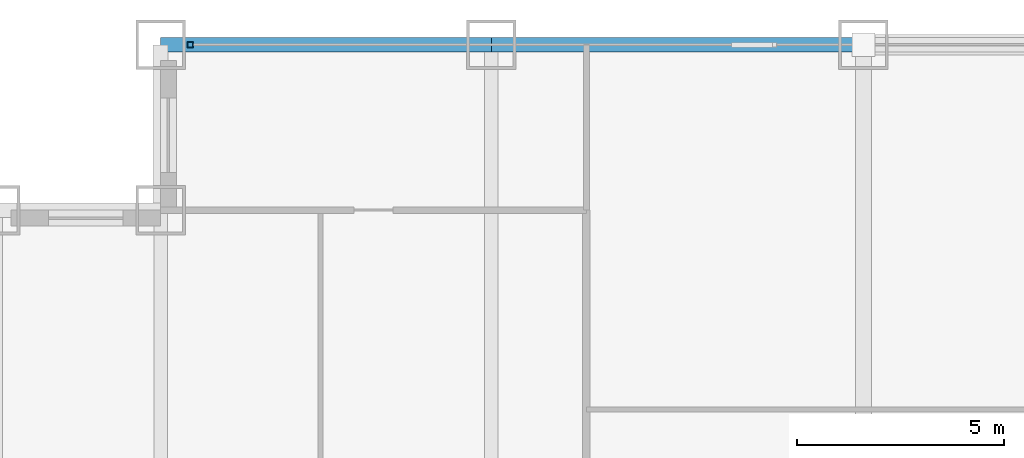
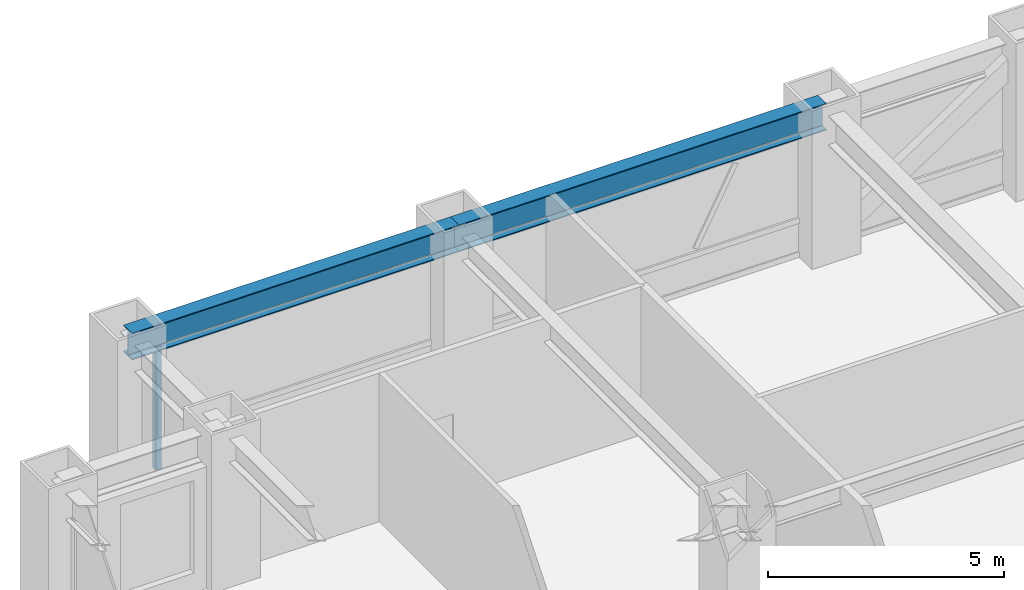
# One storey, part 17 of 27: 2 beams, 1 member, 1 element without a shape of its own.
"""IFC4 building model written with IfcOpenShell, lengths in metres."""

import ifcopenshell
import ifcopenshell.guid

model = None  # the IFC model being written
_history = None  # IfcOwnerHistory: only IFC2X3 demands one
_inside = {}  # id of a spatial element -> (the spatial element, [elements in it])
_under = {}  # id of a project, library or spatial element -> (it, [spatial elements below it])
_declared = {}  # id of a project -> (the project, [libraries it declares])
_typed = {}  # id of a type object -> (the type object, [elements of that type])
_made_of = {}  # id of a material, layer set ... -> (it, [elements and type objects made of it])


def new_model(schema):
    """Start an empty IFC model of exactly this schema.

    Asked for "IFC4X3", IfcOpenShell would pick the latest addendum, in which some entities
    have other attributes; the version numbers below select the first issue.
    IFC2X3 requires an IfcOwnerHistory on every rooted entity: one is made here for all.
    """
    global model, _history
    if schema == "IFC4X3":
        model = ifcopenshell.file(schema_version=(4, 3, 0, 0))
    else:
        model = ifcopenshell.file(schema=schema)
    _inside.clear()
    _under.clear()
    _declared.clear()
    _typed.clear()
    _made_of.clear()
    _history = None
    if model.schema == "IFC2X3":
        org = make("IfcOrganization", Name="unknown")
        user = make(
            "IfcPersonAndOrganization",
            ThePerson=make("IfcPerson", FamilyName="unknown"),
            TheOrganization=org,
        )
        app = make(
            "IfcApplication",
            ApplicationDeveloper=org,
            Version="unknown",
            ApplicationFullName="unknown",
            ApplicationIdentifier="unknown",
        )
        _history = make(
            "IfcOwnerHistory",
            OwningUser=user,
            OwningApplication=app,
            ChangeAction="ADDED",
            CreationDate=0,
        )
    return model


def make(cls, **values):
    """One entity of the class cls with the attributes given. An attribute that is None is left unset."""
    return model.create_entity(
        cls, **{name: value for name, value in values.items() if value is not None}
    )


def rooted(cls, **values):
    """An entity with a GlobalId (a new one), such as an element, a storey or a relation."""
    return make(cls, GlobalId=ifcopenshell.guid.new(), OwnerHistory=_history, **values)


def si_unit(unit_type, name, prefix=None):
    """IfcSIUnit, for example si_unit("LENGTHUNIT", "METRE", prefix="MILLI")."""
    return make("IfcSIUnit", UnitType=unit_type, Prefix=prefix, Name=name)


def assignment(units):
    """IfcUnitAssignment: the units of a project."""
    return None if units is None else make("IfcUnitAssignment", Units=units)


def point(xyz):
    """IfcCartesianPoint."""
    return None if xyz is None else make("IfcCartesianPoint", Coordinates=xyz)


def direction(xyz):
    """IfcDirection."""
    return None if xyz is None else make("IfcDirection", DirectionRatios=xyz)


def frame(location, z_axis=None, x_axis=None):
    """IfcAxis2Placement3D, a coordinate frame: its origin and axes. An axis left out is left unset."""
    return make(
        "IfcAxis2Placement3D",
        Location=point(location),
        Axis=direction(z_axis),
        RefDirection=direction(x_axis),
    )


def frame_2d(location, x_axis=None):
    """IfcAxis2Placement2D, a coordinate frame in the plane: its origin and x axis."""
    return make(
        "IfcAxis2Placement2D", Location=point(location), RefDirection=direction(x_axis)
    )


def origin():
    """The frame at (0, 0, 0) with its axes left unset."""
    return frame((0.0, 0.0, 0.0))


def origin_2d():
    """The frame at (0, 0) in the plane with its x axis left unset."""
    return frame_2d((0.0, 0.0))


def place(relative_to, where):
    """IfcLocalPlacement: puts the frame where relative to a parent placement (None: the world)."""
    return make(
        "IfcLocalPlacement", PlacementRelTo=relative_to, RelativePlacement=where
    )


def context(
    kind, dimensions, precision=None, world=None, true_north=None, identifier=None
):
    """IfcGeometricRepresentationContext, for example the 3D "Model" context."""
    return make(
        "IfcGeometricRepresentationContext",
        ContextIdentifier=identifier,
        ContextType=kind,
        CoordinateSpaceDimension=dimensions,
        Precision=precision,
        WorldCoordinateSystem=world,
        TrueNorth=true_north,
    )


def subcontext(parent, identifier, kind, view, scale=None):
    """IfcGeometricRepresentationSubContext, for example "Body" below "Model"."""
    return make(
        "IfcGeometricRepresentationSubContext",
        ContextIdentifier=identifier,
        ContextType=kind,
        ParentContext=parent,
        TargetScale=scale,
        TargetView=view,
    )


def project(units=None, contexts=None):
    """IfcProject with its units and contexts."""
    return rooted(
        "IfcProject",
        Name="project",
        RepresentationContexts=contexts,
        UnitsInContext=assignment(units),
    )


def spatial(cls, under=None, at=None, **own):
    """A site, building, storey or space (cls), placed at a placement, below another one or the project."""
    s = rooted(cls, ObjectPlacement=at, **own)
    if under is not None:
        _under.setdefault(under.id(), (under, []))[1].append(s)
    return s


def profile(cls, at=None, kind="AREA", **sizes):
    """A parametric profile (cls). Its sizes go by their IFC names, for example OverallWidth=200.0."""
    return make(cls, ProfileType=kind, Position=at, **sizes)


def hollow_rectangle(**sizes):
    """IfcRectangleHollowProfileDef."""
    return profile("IfcRectangleHollowProfileDef", **sizes)


def i_section(**sizes):
    """IfcIShapeProfileDef."""
    return profile("IfcIShapeProfileDef", **sizes)


def extrude(swept, where, along, depth):
    """IfcExtrudedAreaSolid: the profile swept, set in the frame where, extruded along a direction by depth."""
    return make(
        "IfcExtrudedAreaSolid",
        SweptArea=swept,
        Position=where,
        ExtrudedDirection=direction(along),
        Depth=depth,
    )


def shape(context_of_items, identifier, shape_type, items):
    """IfcShapeRepresentation: the items that make up one representation, for example the "Body"."""
    return make(
        "IfcShapeRepresentation",
        ContextOfItems=context_of_items,
        RepresentationIdentifier=identifier,
        RepresentationType=shape_type,
        Items=items,
    )


def source(mapping_origin, context_of_items, identifier, shape_type, items):
    """IfcRepresentationMap: a shape defined once, which mapped items show again and again."""
    return make(
        "IfcRepresentationMap",
        MappingOrigin=mapping_origin,
        MappedRepresentation=shape(context_of_items, identifier, shape_type, items),
    )


def transform(
    local_origin,
    x_axis=None,
    y_axis=None,
    z_axis=None,
    scale=None,
    scale2=None,
    scale3=None,
    uniform=True,
):
    """IfcCartesianTransformationOperator3D, or its non-uniform kind. x_axis, y_axis, z_axis: its Axis1, 2, 3."""
    if uniform:
        return make(
            "IfcCartesianTransformationOperator3D",
            Axis1=direction(x_axis),
            Axis2=direction(y_axis),
            LocalOrigin=point(local_origin),
            Scale=scale,
            Axis3=direction(z_axis),
        )
    return make(
        "IfcCartesianTransformationOperator3DnonUniform",
        Axis1=direction(x_axis),
        Axis2=direction(y_axis),
        LocalOrigin=point(local_origin),
        Scale=scale,
        Axis3=direction(z_axis),
        Scale2=scale2,
        Scale3=scale3,
    )


def mapped(mapping_source, mapping_target):
    """IfcMappedItem: shows the shape of a source again, moved by a transform."""
    return make(
        "IfcMappedItem", MappingSource=mapping_source, MappingTarget=mapping_target
    )


def material(Name=None, Category=None):
    """IfcMaterial."""
    return make("IfcMaterial", Name=Name, Category=Category)


def material_profile(
    of_material, cross_section, Name=None, Category=None, Priority=None
):
    """IfcMaterialProfile: a cross section and its material."""
    return make(
        "IfcMaterialProfile",
        Name=Name,
        Material=of_material,
        Profile=cross_section,
        Priority=Priority,
        Category=Category,
    )


def profile_set(profiles, Name=None, composite=None):
    """IfcMaterialProfileSet."""
    return make(
        "IfcMaterialProfileSet",
        Name=Name,
        MaterialProfiles=profiles,
        CompositeProfile=composite,
    )


def made_of(thing, what):
    """Note that an element or type object is made of a material, layer set ...; save() writes the relation."""
    if what is not None:
        _made_of.setdefault(what.id(), (what, []))[1].append(thing)
    return thing


def type_object(cls, material=None, **own):
    """A type object (cls), such as IfcWallType, which elements share."""
    return made_of(rooted(cls, **own), material)


def element(
    cls,
    number,
    at=None,
    inside=None,
    cuts=None,
    type_object=None,
    material=None,
    context=None,
    identifier="Body",
    shape_type=None,
    held_by="IfcProductDefinitionShape",
    body=None,
    shapes=None,
    **own,
):
    """One element of the class cls, such as IfcWall. Its Tag is "e" and its number.

    at: its placement. inside: the storey or other place that contains it. cuts: it is an
    opening in that element (IfcRelVoidsElement). A single representation is given by context,
    identifier, shape_type and body (its items); several are given by shapes. held_by: the class
    of the entity that holds the representations. save() writes the other relations.
    """
    e = rooted(cls, Tag="e%d" % number, ObjectPlacement=at, **own)
    if body is not None:
        shapes = [shape(context, identifier, shape_type, body)]
    if shapes is not None:
        e.Representation = make(held_by, Representations=shapes)
    if inside is not None:
        _inside.setdefault(inside.id(), (inside, []))[1].append(e)
    if cuts is not None:
        rooted(
            "IfcRelVoidsElement", RelatingBuildingElement=cuts, RelatedOpeningElement=e
        )
    if type_object is not None:
        _typed.setdefault(type_object.id(), (type_object, []))[1].append(e)
    return made_of(e, material)


def aggregate(whole, parts):
    """IfcRelAggregates: a whole, such as a stair, and the parts it consists of."""
    return rooted("IfcRelAggregates", RelatingObject=whole, RelatedObjects=parts)


def save(model, path):
    """Write the relations noted so far, then the file.

    IfcRelAggregates (storeys below a building ...), IfcRelContainedInSpatialStructure (elements
    in a storey), IfcRelDefinesByType, IfcRelAssociatesMaterial and IfcRelDeclares: one each for
    every whole, place, type object, material and project.
    """
    for whole, parts in _under.values():
        aggregate(whole, parts)
    for where, things in _inside.values():
        rooted(
            "IfcRelContainedInSpatialStructure",
            RelatedElements=things,
            RelatingStructure=where,
        )
    for kind, things in _typed.values():
        rooted("IfcRelDefinesByType", RelatedObjects=things, RelatingType=kind)
    for what, things in _made_of.values():
        rooted("IfcRelAssociatesMaterial", RelatedObjects=things, RelatingMaterial=what)
    for by, libraries in _declared.values():
        rooted("IfcRelDeclares", RelatingContext=by, RelatedDefinitions=libraries)
    model.write(path)


model = new_model("IFC4")

# Units and contexts
model_context = context("Model", 3, precision=1e-05, world=origin(), true_north=direction((0.0, 1.0)))
body_context = subcontext(model_context, "Body", "Model", "MODEL_VIEW")
ifc_project = project(units=[si_unit("LENGTHUNIT", "METRE"), si_unit("AREAUNIT", "SQUARE_METRE"), si_unit("VOLUMEUNIT", "CUBIC_METRE"), si_unit("PLANEANGLEUNIT", "RADIAN"), si_unit("MASSUNIT", "GRAM", prefix="KILO")], contexts=[model_context])

# Site, building, storey
site_placement = place(None, origin())
site = spatial("IfcSite", under=ifc_project, at=site_placement, CompositionType="ELEMENT")
building_placement = place(site_placement, origin())
building = spatial("IfcBuilding", under=site, at=building_placement, Name="Khorayat Bourse Tower", CompositionType="ELEMENT")
storey_placement = place(building_placement, frame((0.0, 0.0, 107.800048828125)))
storey = spatial("IfcBuildingStorey", under=building, at=storey_placement, Name="L24", CompositionType="ELEMENT", Elevation=107.800048828125)

# Beams
ifc_material_1 = material(Name="Steel ASTM A992 Grade 50", Category="steel")
ifc_material_profile_1 = material_profile(ifc_material_1, i_section(OverallWidth=0.35498046875, OverallDepth=0.695068359375, WebThickness=0.015380859375, FlangeThickness=0.02490234375, FilletRadius=0.01806640625, at=origin_2d()), Name="W690X217")
ifc_profile_set_1 = profile_set([ifc_material_profile_1], Name="Steel ASTM A992 Grade 50")
beam_type = type_object("IfcBeamType", Name="BM-SPAN-690", PredefinedType="SPANDREL", material=ifc_profile_set_1)
shared_shape_1 = source(origin(), body_context, "Body", "SweptSolid", [
    extrude(i_section(OverallWidth=0.35498046875, OverallDepth=0.695068359375, WebThickness=0.015380859375, FlangeThickness=0.02490234375, FilletRadius=0.01806640625, at=origin_2d()), origin(), (0.0, 0.0, 1.0), 9.0),
])
beam_1_placement = place(storey_placement, frame((-20.0, 32.0, 3.492431640625), z_axis=(1.0, 0.0, 0.0), x_axis=(0.0, 1.0, 0.0)))
element("IfcBeam", 1, at=beam_1_placement, inside=storey, type_object=beam_type, Name="L24 BM-SPAN-690 BM-L24-SPN-050", PredefinedType="SPANDREL", context=body_context, shape_type="MappedRepresentation", body=[
    mapped(shared_shape_1, transform((0.0, 0.0, 0.0), scale=1.0)),
])
shared_shape_2 = source(origin(), body_context, "Body", "SweptSolid", [
    extrude(i_section(OverallWidth=0.35498046875, OverallDepth=0.695068359375, WebThickness=0.015380859375, FlangeThickness=0.02490234375, FilletRadius=0.01806640625, at=origin_2d()), origin(), (0.0, 0.0, 1.0), 8.0),
])
beam_2_placement = place(storey_placement, frame((-28.0, 32.0, 3.492431640625), z_axis=(1.0, 0.0, 0.0), x_axis=(0.0, 1.0, 0.0)))
element("IfcBeam", 2, at=beam_2_placement, inside=storey, type_object=beam_type, Name="L24 BM-SPAN-690 BM-L24-SPN-051", PredefinedType="SPANDREL", context=body_context, shape_type="MappedRepresentation", body=[
    mapped(shared_shape_2, transform((0.0, 0.0, 0.0), scale=1.0)),
])

# Curtain wall, member
ifc_material_2 = material(Name="Aluminium EN AW-6063 T6", Category="aluminium")
curtain_wall_type = type_object("IfcCurtainWallType", Name="CW-SYS-02", PredefinedType="NOTDEFINED", material=ifc_material_2)
curtain_wall_placement = place(storey_placement, origin())
curtain_wall = element("IfcCurtainWall", 3, at=curtain_wall_placement, inside=storey, type_object=curtain_wall_type, Name="L24 Curtain Wall CW-L24-N1", PredefinedType="NOTDEFINED")
ifc_material_profile_2 = material_profile(ifc_material_2, hollow_rectangle(XDim=0.139892578125, YDim=0.139892578125, WallThickness=0.006103515625, at=origin_2d()), Name="ALU 140x140x6")
ifc_profile_set_2 = profile_set([ifc_material_profile_2], Name="Aluminium EN AW-6063 T6")
member_type = type_object("IfcMemberType", Name="CWM-VERT-140", PredefinedType="MULLION", material=ifc_profile_set_2)
shared_shape_3 = source(origin(), body_context, "Body", "SweptSolid", [
    extrude(hollow_rectangle(XDim=0.139892578125, YDim=0.139892578125, WallThickness=0.006103515625, at=origin_2d()), origin(), (0.0, 0.0, 1.0), 3.18994140625),
])
member_placement = place(storey_placement, frame((-27.280029296875, 32.0, 0.0), z_axis=(0.0, 0.0, 1.0), x_axis=(0.0, 1.0, 0.0)))
member = element("IfcMember", 4, at=member_placement, type_object=member_type, Name="CW-L24-N1 Vertical Mullion 1", PredefinedType="MULLION", context=body_context, shape_type="MappedRepresentation", body=[
    mapped(shared_shape_3, transform((0.0, 0.0, 0.0), scale=1.0)),
])
aggregate(curtain_wall, [member])

save(model, "model.ifc")
